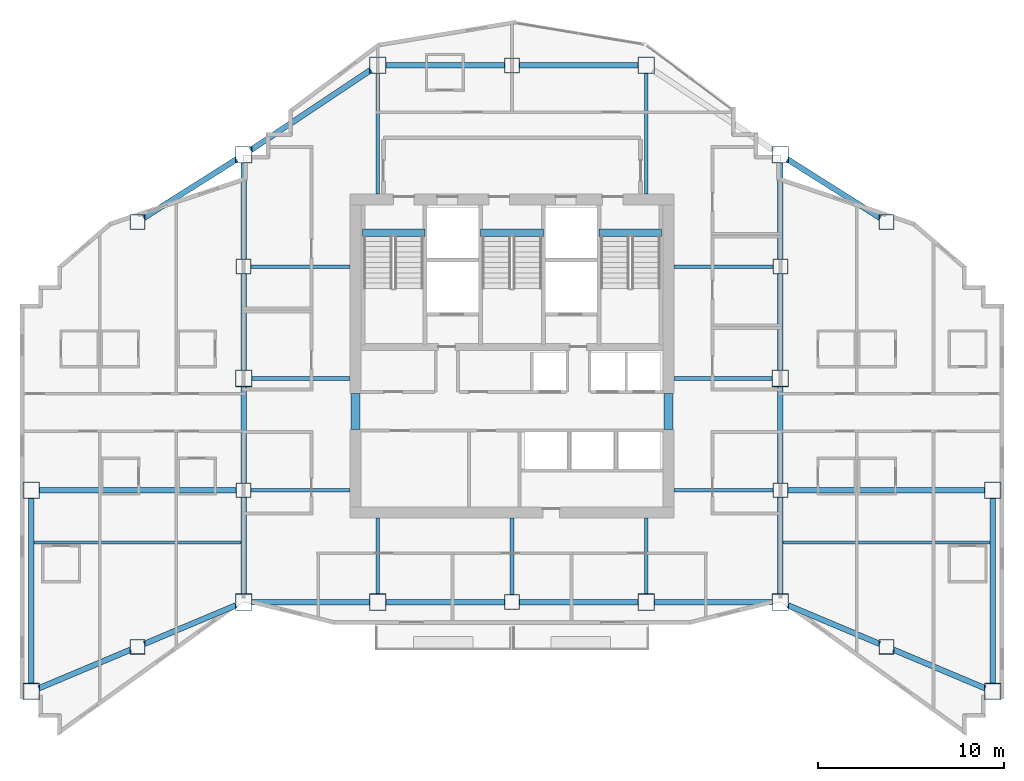
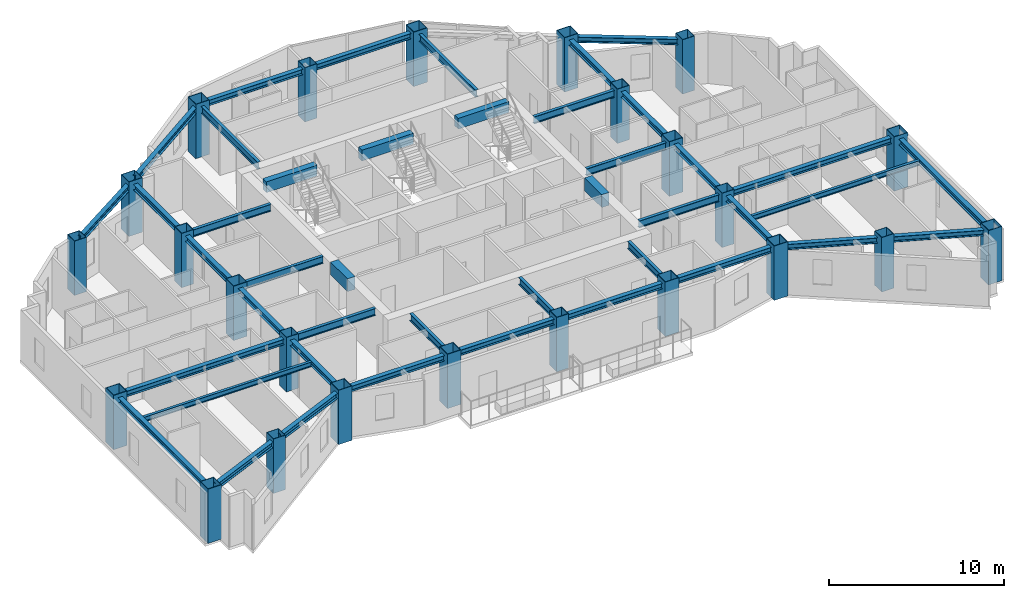
# One storey, part 1 of 11: 43 beams, 24 columns.
"""IFC4 building model written with IfcOpenShell, lengths in metres."""

import ifcopenshell
import ifcopenshell.guid

model = None  # the IFC model being written
_history = None  # IfcOwnerHistory: only IFC2X3 demands one
_inside = {}  # id of a spatial element -> (the spatial element, [elements in it])
_under = {}  # id of a project, library or spatial element -> (it, [spatial elements below it])
_declared = {}  # id of a project -> (the project, [libraries it declares])
_typed = {}  # id of a type object -> (the type object, [elements of that type])
_made_of = {}  # id of a material, layer set ... -> (it, [elements and type objects made of it])


def new_model(schema):
    """Start an empty IFC model of exactly this schema.

    Asked for "IFC4X3", IfcOpenShell would pick the latest addendum, in which some entities
    have other attributes; the version numbers below select the first issue.
    IFC2X3 requires an IfcOwnerHistory on every rooted entity: one is made here for all.
    """
    global model, _history
    if schema == "IFC4X3":
        model = ifcopenshell.file(schema_version=(4, 3, 0, 0))
    else:
        model = ifcopenshell.file(schema=schema)
    _inside.clear()
    _under.clear()
    _declared.clear()
    _typed.clear()
    _made_of.clear()
    _history = None
    if model.schema == "IFC2X3":
        org = make("IfcOrganization", Name="unknown")
        user = make(
            "IfcPersonAndOrganization",
            ThePerson=make("IfcPerson", FamilyName="unknown"),
            TheOrganization=org,
        )
        app = make(
            "IfcApplication",
            ApplicationDeveloper=org,
            Version="unknown",
            ApplicationFullName="unknown",
            ApplicationIdentifier="unknown",
        )
        _history = make(
            "IfcOwnerHistory",
            OwningUser=user,
            OwningApplication=app,
            ChangeAction="ADDED",
            CreationDate=0,
        )
    return model


def make(cls, **values):
    """One entity of the class cls with the attributes given. An attribute that is None is left unset."""
    return model.create_entity(
        cls, **{name: value for name, value in values.items() if value is not None}
    )


def rooted(cls, **values):
    """An entity with a GlobalId (a new one), such as an element, a storey or a relation."""
    return make(cls, GlobalId=ifcopenshell.guid.new(), OwnerHistory=_history, **values)


def si_unit(unit_type, name, prefix=None):
    """IfcSIUnit, for example si_unit("LENGTHUNIT", "METRE", prefix="MILLI")."""
    return make("IfcSIUnit", UnitType=unit_type, Prefix=prefix, Name=name)


def assignment(units):
    """IfcUnitAssignment: the units of a project."""
    return None if units is None else make("IfcUnitAssignment", Units=units)


def point(xyz):
    """IfcCartesianPoint."""
    return None if xyz is None else make("IfcCartesianPoint", Coordinates=xyz)


def direction(xyz):
    """IfcDirection."""
    return None if xyz is None else make("IfcDirection", DirectionRatios=xyz)


def frame(location, z_axis=None, x_axis=None):
    """IfcAxis2Placement3D, a coordinate frame: its origin and axes. An axis left out is left unset."""
    return make(
        "IfcAxis2Placement3D",
        Location=point(location),
        Axis=direction(z_axis),
        RefDirection=direction(x_axis),
    )


def frame_2d(location, x_axis=None):
    """IfcAxis2Placement2D, a coordinate frame in the plane: its origin and x axis."""
    return make(
        "IfcAxis2Placement2D", Location=point(location), RefDirection=direction(x_axis)
    )


def origin():
    """The frame at (0, 0, 0) with its axes left unset."""
    return frame((0.0, 0.0, 0.0))


def origin_2d():
    """The frame at (0, 0) in the plane with its x axis left unset."""
    return frame_2d((0.0, 0.0))


def place(relative_to, where):
    """IfcLocalPlacement: puts the frame where relative to a parent placement (None: the world)."""
    return make(
        "IfcLocalPlacement", PlacementRelTo=relative_to, RelativePlacement=where
    )


def context(
    kind, dimensions, precision=None, world=None, true_north=None, identifier=None
):
    """IfcGeometricRepresentationContext, for example the 3D "Model" context."""
    return make(
        "IfcGeometricRepresentationContext",
        ContextIdentifier=identifier,
        ContextType=kind,
        CoordinateSpaceDimension=dimensions,
        Precision=precision,
        WorldCoordinateSystem=world,
        TrueNorth=true_north,
    )


def subcontext(parent, identifier, kind, view, scale=None):
    """IfcGeometricRepresentationSubContext, for example "Body" below "Model"."""
    return make(
        "IfcGeometricRepresentationSubContext",
        ContextIdentifier=identifier,
        ContextType=kind,
        ParentContext=parent,
        TargetScale=scale,
        TargetView=view,
    )


def project(units=None, contexts=None):
    """IfcProject with its units and contexts."""
    return rooted(
        "IfcProject",
        Name="project",
        RepresentationContexts=contexts,
        UnitsInContext=assignment(units),
    )


def spatial(cls, under=None, at=None, **own):
    """A site, building, storey or space (cls), placed at a placement, below another one or the project."""
    s = rooted(cls, ObjectPlacement=at, **own)
    if under is not None:
        _under.setdefault(under.id(), (under, []))[1].append(s)
    return s


def profile(cls, at=None, kind="AREA", **sizes):
    """A parametric profile (cls). Its sizes go by their IFC names, for example OverallWidth=200.0."""
    return make(cls, ProfileType=kind, Position=at, **sizes)


def rectangle(**sizes):
    """IfcRectangleProfileDef."""
    return profile("IfcRectangleProfileDef", **sizes)


def hollow_rectangle(**sizes):
    """IfcRectangleHollowProfileDef."""
    return profile("IfcRectangleHollowProfileDef", **sizes)


def i_section(**sizes):
    """IfcIShapeProfileDef."""
    return profile("IfcIShapeProfileDef", **sizes)


def extrude(swept, where, along, depth):
    """IfcExtrudedAreaSolid: the profile swept, set in the frame where, extruded along a direction by depth."""
    return make(
        "IfcExtrudedAreaSolid",
        SweptArea=swept,
        Position=where,
        ExtrudedDirection=direction(along),
        Depth=depth,
    )


def shape(context_of_items, identifier, shape_type, items):
    """IfcShapeRepresentation: the items that make up one representation, for example the "Body"."""
    return make(
        "IfcShapeRepresentation",
        ContextOfItems=context_of_items,
        RepresentationIdentifier=identifier,
        RepresentationType=shape_type,
        Items=items,
    )


def material(Name=None, Category=None):
    """IfcMaterial."""
    return make("IfcMaterial", Name=Name, Category=Category)


def material_profile(
    of_material, cross_section, Name=None, Category=None, Priority=None
):
    """IfcMaterialProfile: a cross section and its material."""
    return make(
        "IfcMaterialProfile",
        Name=Name,
        Material=of_material,
        Profile=cross_section,
        Priority=Priority,
        Category=Category,
    )


def profile_set(profiles, Name=None, composite=None):
    """IfcMaterialProfileSet."""
    return make(
        "IfcMaterialProfileSet",
        Name=Name,
        MaterialProfiles=profiles,
        CompositeProfile=composite,
    )


def made_of(thing, what):
    """Note that an element or type object is made of a material, layer set ...; save() writes the relation."""
    if what is not None:
        _made_of.setdefault(what.id(), (what, []))[1].append(thing)
    return thing


def type_object(cls, material=None, **own):
    """A type object (cls), such as IfcWallType, which elements share."""
    return made_of(rooted(cls, **own), material)


def element(
    cls,
    number,
    at=None,
    inside=None,
    cuts=None,
    type_object=None,
    material=None,
    context=None,
    identifier="Body",
    shape_type=None,
    held_by="IfcProductDefinitionShape",
    body=None,
    shapes=None,
    **own,
):
    """One element of the class cls, such as IfcWall. Its Tag is "e" and its number.

    at: its placement. inside: the storey or other place that contains it. cuts: it is an
    opening in that element (IfcRelVoidsElement). A single representation is given by context,
    identifier, shape_type and body (its items); several are given by shapes. held_by: the class
    of the entity that holds the representations. save() writes the other relations.
    """
    e = rooted(cls, Tag="e%d" % number, ObjectPlacement=at, **own)
    if body is not None:
        shapes = [shape(context, identifier, shape_type, body)]
    if shapes is not None:
        e.Representation = make(held_by, Representations=shapes)
    if inside is not None:
        _inside.setdefault(inside.id(), (inside, []))[1].append(e)
    if cuts is not None:
        rooted(
            "IfcRelVoidsElement", RelatingBuildingElement=cuts, RelatedOpeningElement=e
        )
    if type_object is not None:
        _typed.setdefault(type_object.id(), (type_object, []))[1].append(e)
    return made_of(e, material)


def aggregate(whole, parts):
    """IfcRelAggregates: a whole, such as a stair, and the parts it consists of."""
    return rooted("IfcRelAggregates", RelatingObject=whole, RelatedObjects=parts)


def save(model, path):
    """Write the relations noted so far, then the file.

    IfcRelAggregates (storeys below a building ...), IfcRelContainedInSpatialStructure (elements
    in a storey), IfcRelDefinesByType, IfcRelAssociatesMaterial and IfcRelDeclares: one each for
    every whole, place, type object, material and project.
    """
    for whole, parts in _under.values():
        aggregate(whole, parts)
    for where, things in _inside.values():
        rooted(
            "IfcRelContainedInSpatialStructure",
            RelatedElements=things,
            RelatingStructure=where,
        )
    for kind, things in _typed.values():
        rooted("IfcRelDefinesByType", RelatedObjects=things, RelatingType=kind)
    for what, things in _made_of.values():
        rooted("IfcRelAssociatesMaterial", RelatedObjects=things, RelatingMaterial=what)
    for by, libraries in _declared.values():
        rooted("IfcRelDeclares", RelatingContext=by, RelatedDefinitions=libraries)
    model.write(path)


model = new_model("IFC4")

# Units and contexts
model_context = context("Model", 3, precision=1e-05, world=origin(), true_north=direction((0.0, 1.0)))
body_context = subcontext(model_context, "Body", "Model", "MODEL_VIEW")
ifc_project = project(units=[si_unit("LENGTHUNIT", "METRE"), si_unit("AREAUNIT", "SQUARE_METRE"), si_unit("VOLUMEUNIT", "CUBIC_METRE"), si_unit("PLANEANGLEUNIT", "RADIAN"), si_unit("MASSUNIT", "GRAM", prefix="KILO")], contexts=[model_context])

# Site, building, storey
site_placement = place(None, origin())
site = spatial("IfcSite", under=ifc_project, at=site_placement, CompositionType="ELEMENT")
building_placement = place(site_placement, origin())
building = spatial("IfcBuilding", under=site, at=building_placement, Name="Haolan Belvedere Tower", CompositionType="ELEMENT")
storey_placement = place(building_placement, frame((0.0, 0.0, 226.800048828125)))
storey = spatial("IfcBuildingStorey", under=building, at=storey_placement, Name="L57", CompositionType="ELEMENT", Elevation=226.800048828125)

# Columns
ifc_material_1 = material(Name="Steel Q390GJC", Category="steel")
ifc_material_profile_1 = material_profile(ifc_material_1, hollow_rectangle(XDim=0.800048828125, YDim=0.800048828125, WallThickness=0.030029296875, at=origin_2d()), Name="Steel Q390GJC")
ifc_profile_set_1 = profile_set([ifc_material_profile_1], Name="Steel Q390GJC")
column_type_1 = type_object("IfcColumnType", Name="COL-BOX800x800x30", PredefinedType="COLUMN", material=ifc_profile_set_1)
for number, where, z_axis, x_axis, name in (
    (1, (24.0, 27.60009765625, 0.0), (0.0, 0.0, 1.0), (1.0, 0.0, 0.0), "L57 column TC-T3-W1 (BOX800x800x30)"),
    (2, (24.0, 39.60009765625, 0.0), (0.0, 0.0, 1.0), (1.0, 0.0, 0.0), "L57 column TC-T3-W2 (BOX800x800x30)"),
    (3, (52.800048828125, 27.60009765625, 0.0), (0.0, 0.0, 1.0), (1.0, 0.0, 0.0), "L57 column TC-T3-E1 (BOX800x800x30)"),
    (4, (52.800048828125, 39.60009765625, 0.0), (0.0, 0.0, 1.0), (1.0, 0.0, 0.0), "L57 column TC-T3-E2 (BOX800x800x30)"),
    (5, (38.39990234375, 21.60009765625, 0.0), (0.0, 0.0, 1.0), (1.0, 0.0, 0.0), "L57 column TC-T3-SM (BOX800x800x30)"),
    (6, (38.39990234375, 50.39990234375, 0.0), (0.0, 0.0, 1.0), (1.0, 0.0, 0.0), "L57 column TC-T3-NM (BOX800x800x30)"),
    (7, (18.300048828125, 19.199951171875, 0.0), (0.0, 0.0, 1.0), (1.0, 0.0, 0.0), "L57 column TC-T2-S1 (BOX800x800x30)"),
    (8, (18.300048828125, 42.0, 0.0), (0.0, 0.0, 1.0), (1.0, 0.0, 0.0), "L57 column TC-T2-N1 (BOX800x800x30)"),
    (9, (58.5, 19.199951171875, 0.0), (0.0, 0.0, 1.0), (1.0, 0.0, 0.0), "L57 column TC-T4-S1 (BOX800x800x30)"),
    (10, (58.5, 42.0, 0.0), (0.0, 0.0, 1.0), (1.0, 0.0, 0.0), "L57 column TC-T4-N1 (BOX800x800x30)"),
):
    element("IfcColumn", number, at=place(storey_placement, frame(where, z_axis=z_axis, x_axis=x_axis)), inside=storey, type_object=column_type_1, Name=name, PredefinedType="COLUMN", context=body_context, shape_type="SweptSolid", body=[
        extrude(hollow_rectangle(XDim=0.800048828125, YDim=0.800048828125, WallThickness=0.030029296875, at=origin_2d()), origin(), (0.0, 0.0, 1.0), 3.800048828125),
    ])
ifc_material_profile_2 = material_profile(ifc_material_1, hollow_rectangle(XDim=0.89990234375, YDim=0.89990234375, WallThickness=0.033935546875, at=origin_2d()), Name="Steel Q390GJC")
ifc_profile_set_2 = profile_set([ifc_material_profile_2], Name="Steel Q390GJC")
column_type_2 = type_object("IfcColumnType", Name="COL-BOX900x900x34", PredefinedType="COLUMN", material=ifc_profile_set_2)
for number, where, z_axis, x_axis, name in (
    (11, (24.0, 21.60009765625, 0.0), (0.0, 0.0, 1.0), (1.0, 0.0, 0.0), "L57 column MC-T3-SW (BOX900x900x34)"),
    (12, (24.0, 33.60009765625, 0.0), (0.0, 0.0, 1.0), (1.0, 0.0, 0.0), "L57 column MC-T3-MW (BOX900x900x34)"),
    (13, (24.0, 45.60009765625, 0.0), (0.0, 0.0, 1.0), (1.0, 0.0, 0.0), "L57 column MC-T3-NW (BOX900x900x34)"),
    (14, (52.800048828125, 21.60009765625, 0.0), (0.0, 0.0, 1.0), (1.0, 0.0, 0.0), "L57 column MC-T3-SE (BOX900x900x34)"),
    (15, (52.800048828125, 33.60009765625, 0.0), (0.0, 0.0, 1.0), (1.0, 0.0, 0.0), "L57 column MC-T3-ME (BOX900x900x34)"),
    (16, (52.800048828125, 45.60009765625, 0.0), (0.0, 0.0, 1.0), (1.0, 0.0, 0.0), "L57 column MC-T3-NE (BOX900x900x34)"),
    (17, (31.199951171875, 21.60009765625, 0.0), (0.0, 0.0, 1.0), (1.0, 0.0, 0.0), "L57 column MC-T3-S1 (BOX900x900x34)"),
    (18, (45.60009765625, 21.60009765625, 0.0), (0.0, 0.0, 1.0), (1.0, 0.0, 0.0), "L57 column MC-T3-S2 (BOX900x900x34)"),
    (19, (31.199951171875, 50.39990234375, 0.0), (0.0, 0.0, 1.0), (1.0, 0.0, 0.0), "L57 column MC-T3-N1 (BOX900x900x34)"),
    (20, (45.60009765625, 50.39990234375, 0.0), (0.0, 0.0, 1.0), (1.0, 0.0, 0.0), "L57 column MC-T3-N2 (BOX900x900x34)"),
    (21, (12.60009765625, 16.800048828125, 0.0), (0.0, 0.0, 1.0), (1.0, 0.0, 0.0), "L57 column MC-T2-SW (BOX900x900x34)"),
    (22, (12.60009765625, 27.60009765625, 0.0), (0.0, 0.0, 1.0), (1.0, 0.0, 0.0), "L57 column MC-T2-MW (BOX900x900x34)"),
    (23, (64.199951171875, 16.800048828125, 0.0), (0.0, 0.0, 1.0), (1.0, 0.0, 0.0), "L57 column MC-T4-SE (BOX900x900x34)"),
    (24, (64.199951171875, 27.60009765625, 0.0), (0.0, 0.0, 1.0), (1.0, 0.0, 0.0), "L57 column MC-T4-ME (BOX900x900x34)"),
):
    element("IfcColumn", number, at=place(storey_placement, frame(where, z_axis=z_axis, x_axis=x_axis)), inside=storey, type_object=column_type_2, Name=name, PredefinedType="COLUMN", context=body_context, shape_type="SweptSolid", body=[
        extrude(hollow_rectangle(XDim=0.89990234375, YDim=0.89990234375, WallThickness=0.033935546875, at=origin_2d()), origin(), (0.0, 0.0, 1.0), 3.800048828125),
    ])

# Beams
ifc_material_2 = material(Name="Steel Q355B", Category="steel")
ifc_material_profile_3 = material_profile(ifc_material_2, i_section(OverallWidth=0.300048828125, OverallDepth=0.389892578125, WebThickness=0.010009765625, FlangeThickness=0.01611328125, FilletRadius=0.02197265625, at=origin_2d()), Name="Steel Q355B")
ifc_profile_set_3 = profile_set([ifc_material_profile_3], Name="Steel Q355B")
beam_type_1 = type_object("IfcBeamType", Name="BM-HM390x300x10x16", PredefinedType="SPANDREL", material=ifc_profile_set_3)
for number, where, z_axis, x_axis, name in (
    (25, (24.0, 22.050048828125, 3.344970703125), (0.0, 1.0, 0.0), (-1.0, 0.0, 0.0), "L57 spandrel girder MC-T3-SW-TC-T3-W1"),
    (26, (24.0, 28.0, 3.344970703125), (0.0, 1.0, 0.0), (-1.0, 0.0, 0.0), "L57 spandrel girder TC-T3-W1-MC-T3-MW"),
    (27, (24.0, 34.050048828125, 3.344970703125), (0.0, 1.0, 0.0), (-1.0, 0.0, 0.0), "L57 spandrel girder MC-T3-MW-TC-T3-W2"),
    (28, (24.0, 40.0, 3.344970703125), (0.0, 1.0, 0.0), (-1.0, 0.0, 0.0), "L57 spandrel girder TC-T3-W2-MC-T3-NW"),
    (29, (52.800048828125, 22.050048828125, 3.344970703125), (0.0, 1.0, 0.0), (-1.0, 0.0, 0.0), "L57 spandrel girder MC-T3-SE-TC-T3-E1"),
    (30, (52.800048828125, 28.0, 3.344970703125), (0.0, 1.0, 0.0), (-1.0, 0.0, 0.0), "L57 spandrel girder TC-T3-E1-MC-T3-ME"),
    (31, (52.800048828125, 34.050048828125, 3.344970703125), (0.0, 1.0, 0.0), (-1.0, 0.0, 0.0), "L57 spandrel girder MC-T3-ME-TC-T3-E2"),
    (32, (52.800048828125, 40.0, 3.344970703125), (0.0, 1.0, 0.0), (-1.0, 0.0, 0.0), "L57 spandrel girder TC-T3-E2-MC-T3-NE"),
):
    element("IfcBeam", number, at=place(storey_placement, frame(where, z_axis=z_axis, x_axis=x_axis)), inside=storey, type_object=beam_type_1, Name=name, PredefinedType="SPANDREL", context=body_context, shape_type="SweptSolid", body=[
        extrude(i_section(OverallWidth=0.300048828125, OverallDepth=0.389892578125, WebThickness=0.010009765625, FlangeThickness=0.01611328125, FilletRadius=0.02197265625, at=origin_2d()), origin(), (0.0, 0.0, 1.0), 5.14990234375),
    ])
beam_1_placement = place(storey_placement, frame((24.449951171875, 21.60009765625, 3.344970703125), z_axis=(1.0, 0.0, 0.0), x_axis=(0.0, 1.0, 0.0)))
element("IfcBeam", 33, at=beam_1_placement, inside=storey, type_object=beam_type_1, Name="L57 spandrel girder MC-T3-SW-MC-T3-S1", PredefinedType="SPANDREL", context=body_context, shape_type="SweptSolid", body=[
    extrude(i_section(OverallWidth=0.300048828125, OverallDepth=0.389892578125, WebThickness=0.010009765625, FlangeThickness=0.01611328125, FilletRadius=0.02197265625, at=origin_2d()), origin(), (0.0, 0.0, 1.0), 6.300048828125),
])
beam_2_placement = place(storey_placement, frame((31.64990234375, 21.60009765625, 3.344970703125), z_axis=(1.0, 0.0, 0.0), x_axis=(0.0, 1.0, 0.0)))
element("IfcBeam", 34, at=beam_2_placement, inside=storey, type_object=beam_type_1, Name="L57 spandrel girder MC-T3-S1-TC-T3-SM", PredefinedType="SPANDREL", context=body_context, shape_type="SweptSolid", body=[
    extrude(i_section(OverallWidth=0.300048828125, OverallDepth=0.389892578125, WebThickness=0.010009765625, FlangeThickness=0.01611328125, FilletRadius=0.02197265625, at=origin_2d()), origin(), (0.0, 0.0, 1.0), 6.35009765625),
])
beam_3_placement = place(storey_placement, frame((38.800048828125, 21.60009765625, 3.344970703125), z_axis=(1.0, 0.0, 0.0), x_axis=(0.0, 1.0, 0.0)))
element("IfcBeam", 35, at=beam_3_placement, inside=storey, type_object=beam_type_1, Name="L57 spandrel girder TC-T3-SM-MC-T3-S2", PredefinedType="SPANDREL", context=body_context, shape_type="SweptSolid", body=[
    extrude(i_section(OverallWidth=0.300048828125, OverallDepth=0.389892578125, WebThickness=0.010009765625, FlangeThickness=0.01611328125, FilletRadius=0.02197265625, at=origin_2d()), origin(), (0.0, 0.0, 1.0), 6.349853515625),
])
beam_4_placement = place(storey_placement, frame((46.050048828125, 21.60009765625, 3.344970703125), z_axis=(1.0, 0.0, 0.0), x_axis=(0.0, 1.0, 0.0)))
element("IfcBeam", 36, at=beam_4_placement, inside=storey, type_object=beam_type_1, Name="L57 spandrel girder MC-T3-S2-MC-T3-SE", PredefinedType="SPANDREL", context=body_context, shape_type="SweptSolid", body=[
    extrude(i_section(OverallWidth=0.300048828125, OverallDepth=0.389892578125, WebThickness=0.010009765625, FlangeThickness=0.01611328125, FilletRadius=0.02197265625, at=origin_2d()), origin(), (0.0, 0.0, 1.0), 6.300048828125),
])
beam_5_placement = place(storey_placement, frame((24.37451171875, 45.849609375, 3.344970703125), z_axis=(0.832050294338, 0.554700196225, 0.0), x_axis=(-0.554700196225, 0.832050294338, 0.0)))
element("IfcBeam", 37, at=beam_5_placement, inside=storey, type_object=beam_type_1, Name="L57 spandrel girder MC-T3-NW-MC-T3-N1", PredefinedType="SPANDREL", context=body_context, shape_type="SweptSolid", body=[
    extrude(i_section(OverallWidth=0.300048828125, OverallDepth=0.389892578125, WebThickness=0.010009765625, FlangeThickness=0.01611328125, FilletRadius=0.02197265625, at=origin_2d()), origin(), (0.0, 0.0, 1.0), 7.75341796875),
])
beam_6_placement = place(storey_placement, frame((31.64990234375, 50.39990234375, 3.344970703125), z_axis=(1.0, 0.0, 0.0), x_axis=(0.0, 1.0, 0.0)))
element("IfcBeam", 38, at=beam_6_placement, inside=storey, type_object=beam_type_1, Name="L57 spandrel girder MC-T3-N1-TC-T3-NM", PredefinedType="SPANDREL", context=body_context, shape_type="SweptSolid", body=[
    extrude(i_section(OverallWidth=0.300048828125, OverallDepth=0.389892578125, WebThickness=0.010009765625, FlangeThickness=0.01611328125, FilletRadius=0.02197265625, at=origin_2d()), origin(), (0.0, 0.0, 1.0), 6.35009765625),
])
beam_7_placement = place(storey_placement, frame((38.800048828125, 50.39990234375, 3.344970703125), z_axis=(1.0, 0.0, 0.0), x_axis=(0.0, 1.0, 0.0)))
element("IfcBeam", 39, at=beam_7_placement, inside=storey, type_object=beam_type_1, Name="L57 spandrel girder TC-T3-NM-MC-T3-N2", PredefinedType="SPANDREL", context=body_context, shape_type="SweptSolid", body=[
    extrude(i_section(OverallWidth=0.300048828125, OverallDepth=0.389892578125, WebThickness=0.010009765625, FlangeThickness=0.01611328125, FilletRadius=0.02197265625, at=origin_2d()), origin(), (0.0, 0.0, 1.0), 6.349853515625),
])
beam_8_placement = place(storey_placement, frame((12.60009765625, 17.25, 3.344970703125), z_axis=(0.0, 1.0, 0.0), x_axis=(-1.0, 0.0, 0.0)))
element("IfcBeam", 40, at=beam_8_placement, inside=storey, type_object=beam_type_1, Name="L57 spandrel girder MC-T2-SW-MC-T2-MW", PredefinedType="SPANDREL", context=body_context, shape_type="SweptSolid", body=[
    extrude(i_section(OverallWidth=0.300048828125, OverallDepth=0.389892578125, WebThickness=0.010009765625, FlangeThickness=0.01611328125, FilletRadius=0.02197265625, at=origin_2d()), origin(), (0.0, 0.0, 1.0), 9.89990234375),
])
beam_9_placement = place(storey_placement, frame((13.0146484375, 16.974609375, 3.344970703125), z_axis=(0.921644850741, 0.388034494733, 0.0), x_axis=(-0.388034494733, 0.921644850741, 0.0)))
element("IfcBeam", 41, at=beam_9_placement, inside=storey, type_object=beam_type_1, Name="L57 spandrel girder MC-T2-SW-TC-T2-S1", PredefinedType="SPANDREL", context=body_context, shape_type="SweptSolid", body=[
    extrude(i_section(OverallWidth=0.300048828125, OverallDepth=0.389892578125, WebThickness=0.010009765625, FlangeThickness=0.01611328125, FilletRadius=0.02197265625, at=origin_2d()), origin(), (0.0, 0.0, 1.0), 5.334716796875),
])
beam_10_placement = place(storey_placement, frame((18.668701171875, 19.355224609375, 3.344970703125), z_axis=(0.921637959557, 0.388050862006, 0.0), x_axis=(-0.388050862006, 0.921637959557, 0.0)))
element("IfcBeam", 42, at=beam_10_placement, inside=storey, type_object=beam_type_1, Name="L57 spandrel girder TC-T2-S1-MC-T3-SW", PredefinedType="SPANDREL", context=body_context, shape_type="SweptSolid", body=[
    extrude(i_section(OverallWidth=0.300048828125, OverallDepth=0.389892578125, WebThickness=0.010009765625, FlangeThickness=0.01611328125, FilletRadius=0.02197265625, at=origin_2d()), origin(), (0.0, 0.0, 1.0), 5.33447265625),
])
beam_11_placement = place(storey_placement, frame((18.63818359375, 42.213623046875, 3.344970703125), z_axis=(0.845502688092, 0.533971164417, 0.0), x_axis=(-0.533971164417, 0.845502688092, 0.0)))
element("IfcBeam", 43, at=beam_11_placement, inside=storey, type_object=beam_type_1, Name="L57 spandrel girder TC-T2-N1-MC-T3-NW", PredefinedType="SPANDREL", context=body_context, shape_type="SweptSolid", body=[
    extrude(i_section(OverallWidth=0.300048828125, OverallDepth=0.389892578125, WebThickness=0.010009765625, FlangeThickness=0.01611328125, FilletRadius=0.02197265625, at=origin_2d()), origin(), (0.0, 0.0, 1.0), 5.8916015625),
])
beam_12_placement = place(storey_placement, frame((13.050048828125, 27.60009765625, 3.344970703125), z_axis=(1.0, 0.0, 0.0), x_axis=(0.0, 1.0, 0.0)))
element("IfcBeam", 44, at=beam_12_placement, inside=storey, type_object=beam_type_1, Name="L57 spandrel girder MC-T2-MW-TC-T3-W1", PredefinedType="SPANDREL", context=body_context, shape_type="SweptSolid", body=[
    extrude(i_section(OverallWidth=0.300048828125, OverallDepth=0.389892578125, WebThickness=0.010009765625, FlangeThickness=0.01611328125, FilletRadius=0.02197265625, at=origin_2d()), origin(), (0.0, 0.0, 1.0), 10.550048828125),
])
beam_13_placement = place(storey_placement, frame((64.199951171875, 17.25, 3.344970703125), z_axis=(0.0, 1.0, 0.0), x_axis=(-1.0, 0.0, 0.0)))
element("IfcBeam", 45, at=beam_13_placement, inside=storey, type_object=beam_type_1, Name="L57 spandrel girder MC-T4-SE-MC-T4-ME", PredefinedType="SPANDREL", context=body_context, shape_type="SweptSolid", body=[
    extrude(i_section(OverallWidth=0.300048828125, OverallDepth=0.389892578125, WebThickness=0.010009765625, FlangeThickness=0.01611328125, FilletRadius=0.02197265625, at=origin_2d()), origin(), (0.0, 0.0, 1.0), 9.89990234375),
])
for number, where, z_axis, x_axis, name in (
    (46, (53.21484375, 21.42529296875, 3.344970703125), (0.921637959557, -0.388050862006, 0.0), (0.388050862006, 0.921637959557, 0.0), "L57 spandrel girder MC-T3-SE-TC-T4-S1"),
    (47, (58.86865234375, 19.044677734375, 3.344970703125), (0.921637959557, -0.388050862006, 0.0), (0.388050862006, 0.921637959557, 0.0), "L57 spandrel girder TC-T4-S1-MC-T4-SE"),
):
    element("IfcBeam", number, at=place(storey_placement, frame(where, z_axis=z_axis, x_axis=x_axis)), inside=storey, type_object=beam_type_1, Name=name, PredefinedType="SPANDREL", context=body_context, shape_type="SweptSolid", body=[
        extrude(i_section(OverallWidth=0.300048828125, OverallDepth=0.389892578125, WebThickness=0.010009765625, FlangeThickness=0.01611328125, FilletRadius=0.02197265625, at=origin_2d()), origin(), (0.0, 0.0, 1.0), 5.33447265625),
    ])
beam_14_placement = place(storey_placement, frame((53.180419921875, 45.359619140625, 3.344970703125), z_axis=(0.845502688092, -0.533971164417, 0.0), x_axis=(0.533971164417, 0.845502688092, 0.0)))
element("IfcBeam", 48, at=beam_14_placement, inside=storey, type_object=beam_type_1, Name="L57 spandrel girder MC-T3-NE-TC-T4-N1", PredefinedType="SPANDREL", context=body_context, shape_type="SweptSolid", body=[
    extrude(i_section(OverallWidth=0.300048828125, OverallDepth=0.389892578125, WebThickness=0.010009765625, FlangeThickness=0.01611328125, FilletRadius=0.02197265625, at=origin_2d()), origin(), (0.0, 0.0, 1.0), 5.8916015625),
])
beam_15_placement = place(storey_placement, frame((53.199951171875, 27.60009765625, 3.344970703125), z_axis=(1.0, 0.0, 0.0), x_axis=(0.0, 1.0, 0.0)))
element("IfcBeam", 49, at=beam_15_placement, inside=storey, type_object=beam_type_1, Name="L57 spandrel girder TC-T3-E1-MC-T4-ME", PredefinedType="SPANDREL", context=body_context, shape_type="SweptSolid", body=[
    extrude(i_section(OverallWidth=0.300048828125, OverallDepth=0.389892578125, WebThickness=0.010009765625, FlangeThickness=0.01611328125, FilletRadius=0.02197265625, at=origin_2d()), origin(), (0.0, 0.0, 1.0), 10.550048828125),
])
ifc_material_profile_4 = material_profile(ifc_material_2, i_section(OverallWidth=0.175048828125, OverallDepth=0.35009765625, WebThickness=0.007080078125, FlangeThickness=0.010986328125, FilletRadius=0.012939453125, at=origin_2d()), Name="Steel Q355B")
ifc_profile_set_4 = profile_set([ifc_material_profile_4], Name="Steel Q355B")
beam_type_2 = type_object("IfcBeamType", Name="BM-HN350x175x7x11", PredefinedType="JOIST", material=ifc_profile_set_4)
for number, where, z_axis, x_axis, name in (
    (50, (12.75, 24.800048828125, 3.364990234375), (1.0, 0.0, 0.0), (0.0, 1.0, 0.0), "L57 west wing floor joist 1"),
    (51, (52.949951171875, 24.800048828125, 3.364990234375), (1.0, 0.0, 0.0), (0.0, 1.0, 0.0), "L57 east wing floor joist 1"),
):
    element("IfcBeam", number, at=place(storey_placement, frame(where, z_axis=z_axis, x_axis=x_axis)), inside=storey, type_object=beam_type_2, Name=name, PredefinedType="JOIST", context=body_context, shape_type="SweptSolid", body=[
        extrude(i_section(OverallWidth=0.175048828125, OverallDepth=0.35009765625, WebThickness=0.007080078125, FlangeThickness=0.010986328125, FilletRadius=0.012939453125, at=origin_2d()), origin(), (0.0, 0.0, 1.0), 11.10009765625),
    ])
ifc_material_profile_5 = material_profile(ifc_material_2, i_section(OverallWidth=0.199951171875, OverallDepth=0.5, WebThickness=0.010009765625, FlangeThickness=0.01611328125, FilletRadius=0.02001953125, at=origin_2d()), Name="Steel Q355B")
ifc_profile_set_5 = profile_set([ifc_material_profile_5], Name="Steel Q355B")
beam_type_3 = type_object("IfcBeamType", Name="BM-HN500x200x10x16", PredefinedType="BEAM", material=ifc_profile_set_5)
beam_16_placement = place(storey_placement, frame((24.449951171875, 33.60009765625, 3.2900390625), z_axis=(1.0, 0.0, 0.0), x_axis=(0.0, 1.0, 0.0)))
element("IfcBeam", 52, at=beam_16_placement, inside=storey, type_object=beam_type_3, Name="L57 core tie beam from MC-T3-MW", PredefinedType="BEAM", context=body_context, shape_type="SweptSolid", body=[
    extrude(i_section(OverallWidth=0.199951171875, OverallDepth=0.5, WebThickness=0.010009765625, FlangeThickness=0.01611328125, FilletRadius=0.02001953125, at=origin_2d()), origin(), (0.0, 0.0, 1.0), 5.25),
])
for number, where, z_axis, x_axis, name in (
    (53, (24.39990234375, 27.60009765625, 3.2900390625), (1.0, 0.0, 0.0), (0.0, 1.0, 0.0), "L57 core tie beam from TC-T3-W1"),
    (54, (24.39990234375, 39.60009765625, 3.2900390625), (1.0, 0.0, 0.0), (0.0, 1.0, 0.0), "L57 core tie beam from TC-T3-W2"),
):
    element("IfcBeam", number, at=place(storey_placement, frame(where, z_axis=z_axis, x_axis=x_axis)), inside=storey, type_object=beam_type_3, Name=name, PredefinedType="BEAM", context=body_context, shape_type="SweptSolid", body=[
        extrude(i_section(OverallWidth=0.199951171875, OverallDepth=0.5, WebThickness=0.010009765625, FlangeThickness=0.01611328125, FilletRadius=0.02001953125, at=origin_2d()), origin(), (0.0, 0.0, 1.0), 5.300048828125),
    ])
beam_17_placement = place(storey_placement, frame((52.35009765625, 33.60009765625, 3.2900390625), z_axis=(-1.0, 0.0, 0.0), x_axis=(0.0, -1.0, 0.0)))
element("IfcBeam", 55, at=beam_17_placement, inside=storey, type_object=beam_type_3, Name="L57 core tie beam from MC-T3-ME", PredefinedType="BEAM", context=body_context, shape_type="SweptSolid", body=[
    extrude(i_section(OverallWidth=0.199951171875, OverallDepth=0.5, WebThickness=0.010009765625, FlangeThickness=0.01611328125, FilletRadius=0.02001953125, at=origin_2d()), origin(), (0.0, 0.0, 1.0), 5.25),
])
for number, where, z_axis, x_axis, name in (
    (56, (52.39990234375, 27.60009765625, 3.2900390625), (-1.0, 0.0, 0.0), (0.0, -1.0, 0.0), "L57 core tie beam from TC-T3-E1"),
    (57, (52.39990234375, 39.60009765625, 3.2900390625), (-1.0, 0.0, 0.0), (0.0, -1.0, 0.0), "L57 core tie beam from TC-T3-E2"),
):
    element("IfcBeam", number, at=place(storey_placement, frame(where, z_axis=z_axis, x_axis=x_axis)), inside=storey, type_object=beam_type_3, Name=name, PredefinedType="BEAM", context=body_context, shape_type="SweptSolid", body=[
        extrude(i_section(OverallWidth=0.199951171875, OverallDepth=0.5, WebThickness=0.010009765625, FlangeThickness=0.01611328125, FilletRadius=0.02001953125, at=origin_2d()), origin(), (0.0, 0.0, 1.0), 5.2998046875),
    ])
beam_18_placement = place(storey_placement, frame((31.199951171875, 22.050048828125, 3.2900390625), z_axis=(0.0, 1.0, 0.0), x_axis=(-1.0, 0.0, 0.0)))
element("IfcBeam", 58, at=beam_18_placement, inside=storey, type_object=beam_type_3, Name="L57 core tie beam from MC-T3-S1", PredefinedType="BEAM", context=body_context, shape_type="SweptSolid", body=[
    extrude(i_section(OverallWidth=0.199951171875, OverallDepth=0.5, WebThickness=0.010009765625, FlangeThickness=0.01611328125, FilletRadius=0.02001953125, at=origin_2d()), origin(), (0.0, 0.0, 1.0), 4.050048828125),
])
beam_19_placement = place(storey_placement, frame((38.39990234375, 22.0, 3.2900390625), z_axis=(0.0, 1.0, 0.0), x_axis=(-1.0, 0.0, 0.0)))
element("IfcBeam", 59, at=beam_19_placement, inside=storey, type_object=beam_type_3, Name="L57 core tie beam from TC-T3-SM", PredefinedType="BEAM", context=body_context, shape_type="SweptSolid", body=[
    extrude(i_section(OverallWidth=0.199951171875, OverallDepth=0.5, WebThickness=0.010009765625, FlangeThickness=0.01611328125, FilletRadius=0.02001953125, at=origin_2d()), origin(), (0.0, 0.0, 1.0), 4.10009765625),
])
beam_20_placement = place(storey_placement, frame((45.60009765625, 22.050048828125, 3.2900390625), z_axis=(0.0, 1.0, 0.0), x_axis=(-1.0, 0.0, 0.0)))
element("IfcBeam", 60, at=beam_20_placement, inside=storey, type_object=beam_type_3, Name="L57 core tie beam from MC-T3-S2", PredefinedType="BEAM", context=body_context, shape_type="SweptSolid", body=[
    extrude(i_section(OverallWidth=0.199951171875, OverallDepth=0.5, WebThickness=0.010009765625, FlangeThickness=0.01611328125, FilletRadius=0.02001953125, at=origin_2d()), origin(), (0.0, 0.0, 1.0), 4.050048828125),
])
for number, where, z_axis, x_axis, name in (
    (61, (31.199951171875, 49.949951171875, 3.2900390625), (0.0, -1.0, 0.0), (1.0, 0.0, 0.0), "L57 core tie beam from MC-T3-N1"),
    (62, (45.60009765625, 49.949951171875, 3.2900390625), (0.0, -1.0, 0.0), (1.0, 0.0, 0.0), "L57 core tie beam from MC-T3-N2"),
):
    element("IfcBeam", number, at=place(storey_placement, frame(where, z_axis=z_axis, x_axis=x_axis)), inside=storey, type_object=beam_type_3, Name=name, PredefinedType="BEAM", context=body_context, shape_type="SweptSolid", body=[
        extrude(i_section(OverallWidth=0.199951171875, OverallDepth=0.5, WebThickness=0.010009765625, FlangeThickness=0.01611328125, FilletRadius=0.02001953125, at=origin_2d()), origin(), (0.0, 0.0, 1.0), 6.449951171875),
    ])
ifc_material_3 = material(Name="Concrete C50/60", Category="concrete")
ifc_material_profile_6 = material_profile(ifc_material_3, rectangle(XDim=0.39990234375, YDim=0.75, at=origin_2d()), Name="Concrete C50/60")
ifc_profile_set_6 = profile_set([ifc_material_profile_6], Name="Concrete C50/60")
beam_type_4 = type_object("IfcBeamType", Name="BM-RC400x750", PredefinedType="T_BEAM", material=ifc_profile_set_6)
beam_21_placement = place(storey_placement, frame((30.3798828125, 41.429931640625, 3.425048828125), z_axis=(1.0, 0.0, 0.0), x_axis=(0.0, 1.0, 0.0)))
element("IfcBeam", 63, at=beam_21_placement, inside=storey, type_object=beam_type_4, Name="L58 stair ST1 RC header trimmer beam", PredefinedType="BEAM", context=body_context, shape_type="SweptSolid", body=[
    extrude(rectangle(XDim=0.39990234375, YDim=0.75, at=origin_2d()), origin(), (0.0, 0.0, 1.0), 3.360107421875),
])
beam_22_placement = place(storey_placement, frame((36.699951171875, 41.429931640625, 3.425048828125), z_axis=(1.0, 0.0, 0.0), x_axis=(0.0, 1.0, 0.0)))
element("IfcBeam", 64, at=beam_22_placement, inside=storey, type_object=beam_type_4, Name="L58 stair ST3 RC header trimmer beam", PredefinedType="BEAM", context=body_context, shape_type="SweptSolid", body=[
    extrude(rectangle(XDim=0.39990234375, YDim=0.75, at=origin_2d()), origin(), (0.0, 0.0, 1.0), 3.400146484375),
])
beam_23_placement = place(storey_placement, frame((43.06005859375, 41.429931640625, 3.425048828125), z_axis=(1.0, 0.0, 0.0), x_axis=(0.0, 1.0, 0.0)))
element("IfcBeam", 65, at=beam_23_placement, inside=storey, type_object=beam_type_4, Name="L58 stair ST2 RC header trimmer beam", PredefinedType="BEAM", context=body_context, shape_type="SweptSolid", body=[
    extrude(rectangle(XDim=0.39990234375, YDim=0.75, at=origin_2d()), origin(), (0.0, 0.0, 1.0), 3.35986328125),
])
ifc_material_4 = material(Name="Concrete C60/75", Category="concrete")
ifc_material_profile_7 = material_profile(ifc_material_4, rectangle(XDim=0.5, YDim=0.89990234375, at=origin_2d()), Name="Concrete C60/75")
ifc_profile_set_7 = profile_set([ifc_material_profile_7], Name="Concrete C60/75")
beam_type_5 = type_object("IfcBeamType", Name="BM-RC500x900", PredefinedType="LINTEL", material=ifc_profile_set_7)
for number, where, z_axis, x_axis, name in (
    (66, (30.0, 30.85009765625, 3.08984375), (0.0, 1.0, 0.0), (-1.0, 0.0, 0.0), "L57 west core coupling beam CB-01"),
    (67, (46.800048828125, 30.85009765625, 3.08984375), (0.0, 1.0, 0.0), (-1.0, 0.0, 0.0), "L57 east core coupling beam CB-01"),
):
    element("IfcBeam", number, at=place(storey_placement, frame(where, z_axis=z_axis, x_axis=x_axis)), inside=storey, type_object=beam_type_5, Name=name, PredefinedType="LINTEL", context=body_context, shape_type="SweptSolid", body=[
        extrude(rectangle(XDim=0.5, YDim=0.89990234375, at=origin_2d()), origin(), (0.0, 0.0, 1.0), 1.949951171875),
    ])

save(model, "model.ifc")
